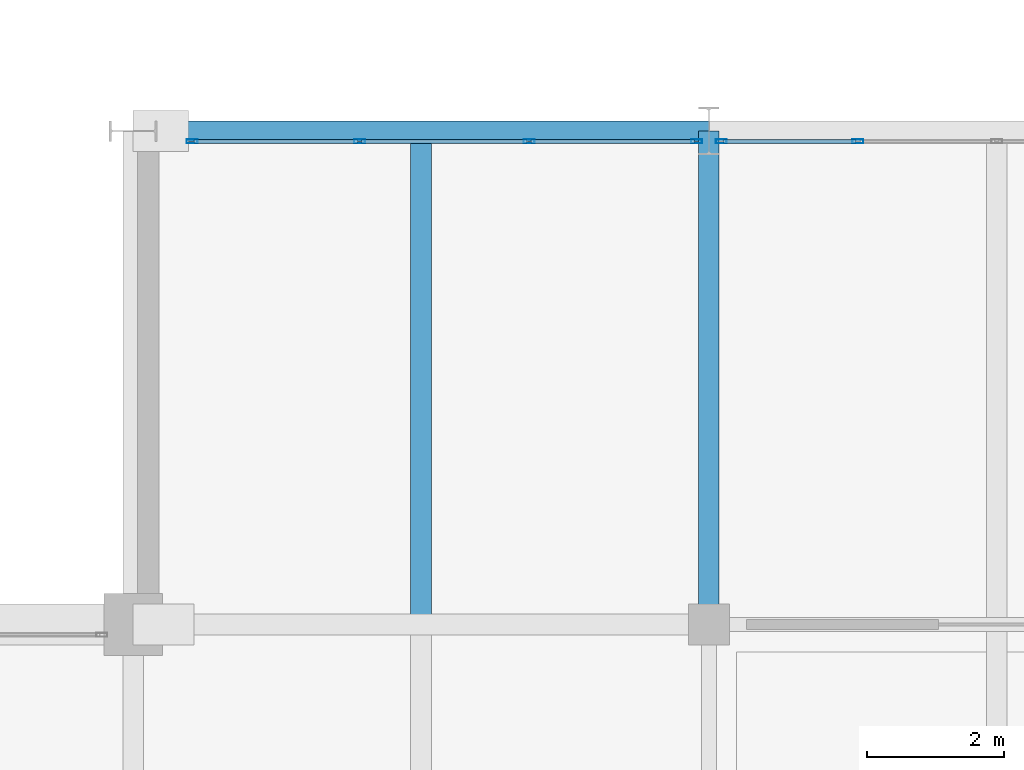
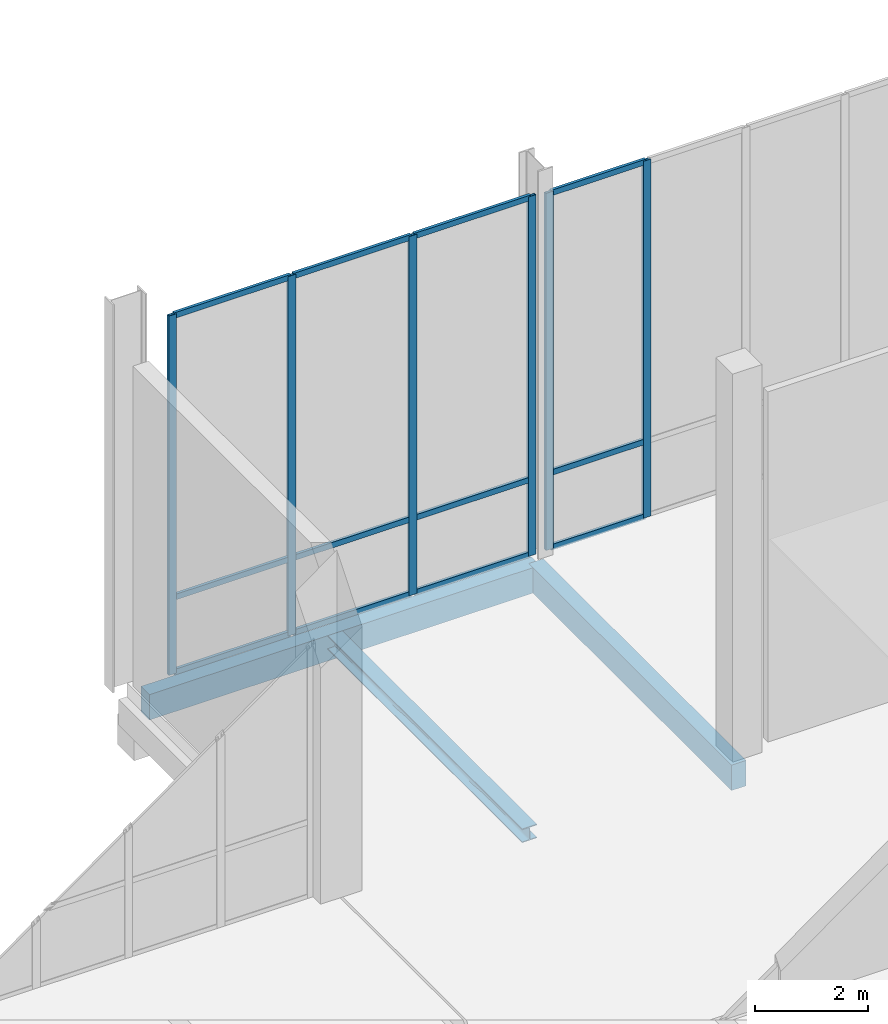
# One storey, part 33 of 131: 18 members, 3 beams, 2 elements without a shape of their own.
"""IFC4 building model written with IfcOpenShell, lengths in metres."""

from ifc_helpers import new_model, si_unit, direction, frame, origin, origin_2d, place, context, subcontext, project, spatial, rectangle, hollow_rectangle, i_section, extrude, material, material_profile, profile_set, type_object, element, aggregate, save


model = new_model("IFC4")

# Units and contexts
model_context = context("Model", 3, precision=1e-05, world=origin(), true_north=direction((0.0, 1.0)))
body_context = subcontext(model_context, "Body", "Model", "MODEL_VIEW")
ifc_project = project(units=[si_unit("LENGTHUNIT", "METRE"), si_unit("AREAUNIT", "SQUARE_METRE"), si_unit("VOLUMEUNIT", "CUBIC_METRE"), si_unit("PLANEANGLEUNIT", "RADIAN"), si_unit("MASSUNIT", "GRAM", prefix="KILO")], contexts=[model_context])

# Site, building, storey
site_placement = place(None, origin())
site = spatial("IfcSite", under=ifc_project, at=site_placement, CompositionType="ELEMENT")
building_placement = place(site_placement, origin())
building = spatial("IfcBuilding", under=site, at=building_placement, Name="Veltarok Museum of Natural Sciences", CompositionType="ELEMENT")
storey_placement = place(building_placement, origin())
storey = spatial("IfcBuildingStorey", under=building, at=storey_placement, Name="L00", CompositionType="ELEMENT", Elevation=0.0)

# Curtain wall, members
ifc_material_1 = material(Name="Low-iron triple insulated glass", Category="glass")
curtain_wall_type_1 = type_object("IfcCurtainWallType", Name="Curtain Wall System CW-V5CN-L00-0-742x778 (CW-V5CN L00 742x778cm)", PredefinedType="NOTDEFINED", material=ifc_material_1)
curtain_wall_1_placement = place(storey_placement, origin())
curtain_wall_1 = element("IfcCurtainWall", 1, at=curtain_wall_1_placement, inside=storey, type_object=curtain_wall_type_1, Name="Curtain Wall CW-V5CN-L00-0-742x778 CW-0184", PredefinedType="NOTDEFINED")
ifc_material_2 = material(Name="Thermally broken anodised aluminium", Category="aluminium")
ifc_material_profile_1 = material_profile(ifc_material_2, hollow_rectangle(XDim=0.06005859375, YDim=0.1201171875, WallThickness=0.0048828125, at=origin_2d()), Name="CW TRANSOM 60x120x5")
ifc_profile_set_1 = profile_set([ifc_material_profile_1], Name="Thermally broken anodised aluminium")
member_type_1 = type_object("IfcMemberType", Name="Curtain Wall Horizontal Transom 60x120x5", PredefinedType="USERDEFINED", material=ifc_profile_set_1)
member_1_placement = place(storey_placement, frame((115.389892578125, 26.25, 0.028076171875), z_axis=(-1.0, 0.0, 0.0), x_axis=(0.0, -1.0, 0.0)))
member_1 = element("IfcMember", 2, at=member_1_placement, type_object=member_type_1, Name="CW-V5CN-L00-0-742x778 transom 1.1", ObjectType="TRANSOM", PredefinedType="USERDEFINED", context=body_context, shape_type="SweptSolid", body=[
    extrude(hollow_rectangle(XDim=0.06005859375, YDim=0.1201171875, WallThickness=0.0048828125, at=origin_2d()), origin(), (0.0, 0.0, 1.0), 2.38330078125),
])
member_2_placement = place(storey_placement, frame((115.389892578125, 26.25, 1.64794921875), z_axis=(-1.0, 0.0, 0.0), x_axis=(0.0, -1.0, 0.0)))
member_2 = element("IfcMember", 3, at=member_2_placement, type_object=member_type_1, Name="CW-V5CN-L00-0-742x778 transom 1.2", ObjectType="TRANSOM", PredefinedType="USERDEFINED", context=body_context, shape_type="SweptSolid", body=[
    extrude(hollow_rectangle(XDim=0.06005859375, YDim=0.1201171875, WallThickness=0.0048828125, at=origin_2d()), origin(), (0.0, 0.0, 1.0), 2.38330078125),
])
member_3_placement = place(storey_placement, frame((115.389892578125, 26.25, 7.75), z_axis=(-1.0, 0.0, 0.0), x_axis=(0.0, -1.0, 0.0)))
member_3 = element("IfcMember", 4, at=member_3_placement, type_object=member_type_1, Name="CW-V5CN-L00-0-742x778 transom 1.3", ObjectType="TRANSOM", PredefinedType="USERDEFINED", context=body_context, shape_type="SweptSolid", body=[
    extrude(hollow_rectangle(XDim=0.06005859375, YDim=0.1201171875, WallThickness=0.0048828125, at=origin_2d()), origin(), (0.0, 0.0, 1.0), 2.38330078125),
])
member_4_placement = place(storey_placement, frame((112.94677734375, 26.25, 0.028076171875), z_axis=(-1.0, 0.0, 0.0), x_axis=(0.0, -1.0, 0.0)))
member_4 = element("IfcMember", 5, at=member_4_placement, type_object=member_type_1, Name="CW-V5CN-L00-0-742x778 transom 2.1", ObjectType="TRANSOM", PredefinedType="USERDEFINED", context=body_context, shape_type="SweptSolid", body=[
    extrude(hollow_rectangle(XDim=0.06005859375, YDim=0.1201171875, WallThickness=0.0048828125, at=origin_2d()), origin(), (0.0, 0.0, 1.0), 2.413330078125),
])
member_5_placement = place(storey_placement, frame((112.94677734375, 26.25, 1.64794921875), z_axis=(-1.0, 0.0, 0.0), x_axis=(0.0, -1.0, 0.0)))
member_5 = element("IfcMember", 6, at=member_5_placement, type_object=member_type_1, Name="CW-V5CN-L00-0-742x778 transom 2.2", ObjectType="TRANSOM", PredefinedType="USERDEFINED", context=body_context, shape_type="SweptSolid", body=[
    extrude(hollow_rectangle(XDim=0.06005859375, YDim=0.1201171875, WallThickness=0.0048828125, at=origin_2d()), origin(), (0.0, 0.0, 1.0), 2.413330078125),
])
member_6_placement = place(storey_placement, frame((112.94677734375, 26.25, 7.75), z_axis=(-1.0, 0.0, 0.0), x_axis=(0.0, -1.0, 0.0)))
member_6 = element("IfcMember", 7, at=member_6_placement, type_object=member_type_1, Name="CW-V5CN-L00-0-742x778 transom 2.3", ObjectType="TRANSOM", PredefinedType="USERDEFINED", context=body_context, shape_type="SweptSolid", body=[
    extrude(hollow_rectangle(XDim=0.06005859375, YDim=0.1201171875, WallThickness=0.0048828125, at=origin_2d()), origin(), (0.0, 0.0, 1.0), 2.413330078125),
])
member_7_placement = place(storey_placement, frame((110.473388671875, 26.25, 0.028076171875), z_axis=(-1.0, 0.0, 0.0), x_axis=(0.0, -1.0, 0.0)))
member_7 = element("IfcMember", 8, at=member_7_placement, type_object=member_type_1, Name="CW-V5CN-L00-0-742x778 transom 3.1", ObjectType="TRANSOM", PredefinedType="USERDEFINED", context=body_context, shape_type="SweptSolid", body=[
    extrude(hollow_rectangle(XDim=0.06005859375, YDim=0.1201171875, WallThickness=0.0048828125, at=origin_2d()), origin(), (0.0, 0.0, 1.0), 2.38330078125),
])
member_8_placement = place(storey_placement, frame((110.473388671875, 26.25, 1.64794921875), z_axis=(-1.0, 0.0, 0.0), x_axis=(0.0, -1.0, 0.0)))
member_8 = element("IfcMember", 9, at=member_8_placement, type_object=member_type_1, Name="CW-V5CN-L00-0-742x778 transom 3.2", ObjectType="TRANSOM", PredefinedType="USERDEFINED", context=body_context, shape_type="SweptSolid", body=[
    extrude(hollow_rectangle(XDim=0.06005859375, YDim=0.1201171875, WallThickness=0.0048828125, at=origin_2d()), origin(), (0.0, 0.0, 1.0), 2.38330078125),
])
member_9_placement = place(storey_placement, frame((110.473388671875, 26.25, 7.75), z_axis=(-1.0, 0.0, 0.0), x_axis=(0.0, -1.0, 0.0)))
member_9 = element("IfcMember", 10, at=member_9_placement, type_object=member_type_1, Name="CW-V5CN-L00-0-742x778 transom 3.3", ObjectType="TRANSOM", PredefinedType="USERDEFINED", context=body_context, shape_type="SweptSolid", body=[
    extrude(hollow_rectangle(XDim=0.06005859375, YDim=0.1201171875, WallThickness=0.0048828125, at=origin_2d()), origin(), (0.0, 0.0, 1.0), 2.38330078125),
])

curtain_wall_type_2 = type_object("IfcCurtainWallType", Name="Curtain Wall System CW-V5CN-L00-1-810x773 (CW-V5CN L00 810x773cm)", PredefinedType="NOTDEFINED", material=ifc_material_1)
curtain_wall_2_placement = place(storey_placement, origin())
curtain_wall_2 = element("IfcCurtainWall", 11, at=curtain_wall_2_placement, inside=storey, type_object=curtain_wall_type_2, Name="Curtain Wall CW-V5CN-L00-1-810x773 CW-0185", PredefinedType="NOTDEFINED")
member_10_placement = place(storey_placement, frame((117.7451171875, 26.25, 0.028076171875), z_axis=(-1.0, 0.0, 0.0), x_axis=(0.0, -1.0, 0.0)))
member_10 = element("IfcMember", 12, at=member_10_placement, type_object=member_type_1, Name="CW-V5CN-L00-1-810x773 transom 4.1", ObjectType="TRANSOM", PredefinedType="USERDEFINED", context=body_context, shape_type="SweptSolid", body=[
    extrude(hollow_rectangle(XDim=0.06005859375, YDim=0.1201171875, WallThickness=0.0048828125, at=origin_2d()), origin(), (0.0, 0.0, 1.0), 1.93505859375),
])
member_11_placement = place(storey_placement, frame((117.7451171875, 26.25, 1.64794921875), z_axis=(-1.0, 0.0, 0.0), x_axis=(0.0, -1.0, 0.0)))
member_11 = element("IfcMember", 13, at=member_11_placement, type_object=member_type_1, Name="CW-V5CN-L00-1-810x773 transom 4.2", ObjectType="TRANSOM", PredefinedType="USERDEFINED", context=body_context, shape_type="SweptSolid", body=[
    extrude(hollow_rectangle(XDim=0.06005859375, YDim=0.1201171875, WallThickness=0.0048828125, at=origin_2d()), origin(), (0.0, 0.0, 1.0), 1.93505859375),
])
member_12_placement = place(storey_placement, frame((117.7451171875, 26.25, 7.699951171875), z_axis=(-1.0, 0.0, 0.0), x_axis=(0.0, -1.0, 0.0)))
member_12 = element("IfcMember", 14, at=member_12_placement, type_object=member_type_1, Name="CW-V5CN-L00-1-810x773 transom 4.3", ObjectType="TRANSOM", PredefinedType="USERDEFINED", context=body_context, shape_type="SweptSolid", body=[
    extrude(hollow_rectangle(XDim=0.06005859375, YDim=0.1201171875, WallThickness=0.0048828125, at=origin_2d()), origin(), (0.0, 0.0, 1.0), 1.93505859375),
])

# Member
ifc_material_profile_2 = material_profile(ifc_material_2, hollow_rectangle(XDim=0.06005859375, YDim=0.159912109375, WallThickness=0.0048828125, at=origin_2d()), Name="CW MULLION 60x160x5")
ifc_profile_set_2 = profile_set([ifc_material_profile_2], Name="Thermally broken anodised aluminium")
member_type_2 = type_object("IfcMemberType", Name="Curtain Wall Vertical Mullion 60x160x5", PredefinedType="MULLION", material=ifc_profile_set_2)
member_13_placement = place(storey_placement, frame((115.419921875, 26.25, -0.001953125), z_axis=(0.0, 0.0, 1.0), x_axis=(0.0, -1.0, 0.0)))
member_13 = element("IfcMember", 15, at=member_13_placement, type_object=member_type_2, Name="CW-V5CN-L00-0-742x778 mullion 1", PredefinedType="MULLION", context=body_context, shape_type="SweptSolid", body=[
    extrude(hollow_rectangle(XDim=0.06005859375, YDim=0.159912109375, WallThickness=0.0048828125, at=origin_2d()), origin(), (0.0, 0.0, 1.0), 7.781982421875),
])

member_14_placement = place(storey_placement, frame((112.9765625, 26.25, -0.001953125), z_axis=(0.0, 0.0, 1.0), x_axis=(0.0, -1.0, 0.0)))
member_14 = element("IfcMember", 16, at=member_14_placement, type_object=member_type_2, Name="CW-V5CN-L00-0-742x778 mullion 2", PredefinedType="MULLION", context=body_context, shape_type="SweptSolid", body=[
    extrude(hollow_rectangle(XDim=0.06005859375, YDim=0.159912109375, WallThickness=0.0048828125, at=origin_2d()), origin(), (0.0, 0.0, 1.0), 7.781982421875),
])

member_15_placement = place(storey_placement, frame((110.50341796875, 26.25, -0.001953125), z_axis=(0.0, 0.0, 1.0), x_axis=(0.0, -1.0, 0.0)))
member_15 = element("IfcMember", 17, at=member_15_placement, type_object=member_type_2, Name="CW-V5CN-L00-0-742x778 mullion 3", PredefinedType="MULLION", context=body_context, shape_type="SweptSolid", body=[
    extrude(hollow_rectangle(XDim=0.06005859375, YDim=0.159912109375, WallThickness=0.0048828125, at=origin_2d()), origin(), (0.0, 0.0, 1.0), 7.781982421875),
])

member_16_placement = place(storey_placement, frame((108.06005859375, 26.25, -0.001953125), z_axis=(0.0, 0.0, 1.0), x_axis=(0.0, -1.0, 0.0)))
member_16 = element("IfcMember", 18, at=member_16_placement, type_object=member_type_2, Name="CW-V5CN-L00-0-742x778 mullion 4", PredefinedType="MULLION", context=body_context, shape_type="SweptSolid", body=[
    extrude(hollow_rectangle(XDim=0.06005859375, YDim=0.159912109375, WallThickness=0.0048828125, at=origin_2d()), origin(), (0.0, 0.0, 1.0), 7.781982421875),
])

aggregate(curtain_wall_1, [member_13, member_14, member_15, member_16, member_1, member_2, member_3, member_4, member_5, member_6, member_7, member_8, member_9])

member_17_placement = place(storey_placement, frame((117.77490234375, 26.25, -0.001953125), z_axis=(0.0, 0.0, 1.0), x_axis=(0.0, -1.0, 0.0)))
member_17 = element("IfcMember", 19, at=member_17_placement, type_object=member_type_2, Name="CW-V5CN-L00-1-810x773 mullion 4", PredefinedType="MULLION", context=body_context, shape_type="SweptSolid", body=[
    extrude(hollow_rectangle(XDim=0.06005859375, YDim=0.159912109375, WallThickness=0.0048828125, at=origin_2d()), origin(), (0.0, 0.0, 1.0), 7.73193359375),
])

member_18_placement = place(storey_placement, frame((115.780029296875, 26.25, -0.001953125), z_axis=(0.0, 0.0, 1.0), x_axis=(0.0, -1.0, 0.0)))
member_18 = element("IfcMember", 20, at=member_18_placement, type_object=member_type_2, Name="CW-V5CN-L00-1-810x773 mullion 5", PredefinedType="MULLION", context=body_context, shape_type="SweptSolid", body=[
    extrude(hollow_rectangle(XDim=0.06005859375, YDim=0.159912109375, WallThickness=0.0048828125, at=origin_2d()), origin(), (0.0, 0.0, 1.0), 7.73193359375),
])

aggregate(curtain_wall_2, [member_17, member_18, member_10, member_11, member_12])

# Beams
ifc_material_3 = material(Name="Precast concrete C40/50", Category="concrete")
ifc_material_profile_3 = material_profile(ifc_material_3, rectangle(XDim=0.300048828125, YDim=0.550048828125, at=origin_2d()), Name="RC 300x550")
ifc_profile_set_3 = profile_set([ifc_material_profile_3], Name="Precast concrete C40/50")
beam_type_1 = type_object("IfcBeamType", Name="East Wing Precast Spandrel RC 300x550", PredefinedType="SPANDREL", material=ifc_profile_set_3)
beam_1_placement = place(storey_placement, frame((107.60009765625, 26.39990234375, -0.574951171875), z_axis=(1.0, 0.0, 0.0), x_axis=(0.0, 1.0, 0.0)))
element("IfcBeam", 21, at=beam_1_placement, inside=storey, type_object=beam_type_1, Name="Beam BM-SP02 L00 13-14/D", PredefinedType="SPANDREL", context=body_context, shape_type="SweptSolid", body=[
    extrude(rectangle(XDim=0.300048828125, YDim=0.550048828125, at=origin_2d()), origin(), (0.0, 0.0, 1.0), 8.0),
])
beam_2_placement = place(storey_placement, frame((115.60009765625, 19.199951171875, -0.574951171875), z_axis=(0.0, 1.0, 0.0), x_axis=(-1.0, 0.0, 0.0)))
element("IfcBeam", 22, at=beam_2_placement, inside=storey, type_object=beam_type_1, Name="Beam BM-SP02 L00 14/C-D", PredefinedType="SPANDREL", context=body_context, shape_type="SweptSolid", body=[
    extrude(rectangle(XDim=0.300048828125, YDim=0.550048828125, at=origin_2d()), origin(), (0.0, 0.0, 1.0), 7.199951171875),
])
ifc_material_4 = material(Name="Steel S355J2", Category="steel")
ifc_material_profile_4 = material_profile(ifc_material_4, i_section(OverallWidth=0.300048828125, OverallDepth=0.300048828125, WebThickness=0.010986328125, FlangeThickness=0.01904296875, FilletRadius=0.027099609375, at=origin_2d()), Name="HEB 300")
ifc_profile_set_4 = profile_set([ifc_material_profile_4], Name="Steel S355J2")
beam_type_2 = type_object("IfcBeamType", Name="Laboratory Floor Joist HEB 300", PredefinedType="JOIST", material=ifc_profile_set_4)
beam_3_placement = place(storey_placement, frame((111.39990234375, 19.347900390625, -0.449951171875), z_axis=(0.0, 1.0, 0.0), x_axis=(-1.0, 0.0, 0.0)))
element("IfcBeam", 23, at=beam_3_placement, inside=storey, type_object=beam_type_2, Name="Secondary Joist BM-J10 L00 13-14/C-D.1", PredefinedType="JOIST", context=body_context, shape_type="SweptSolid", body=[
    extrude(i_section(OverallWidth=0.300048828125, OverallDepth=0.300048828125, WebThickness=0.010986328125, FlangeThickness=0.01904296875, FilletRadius=0.027099609375, at=origin_2d()), origin(), (0.0, 0.0, 1.0), 6.904052734375),
])

save(model, "model.ifc")
